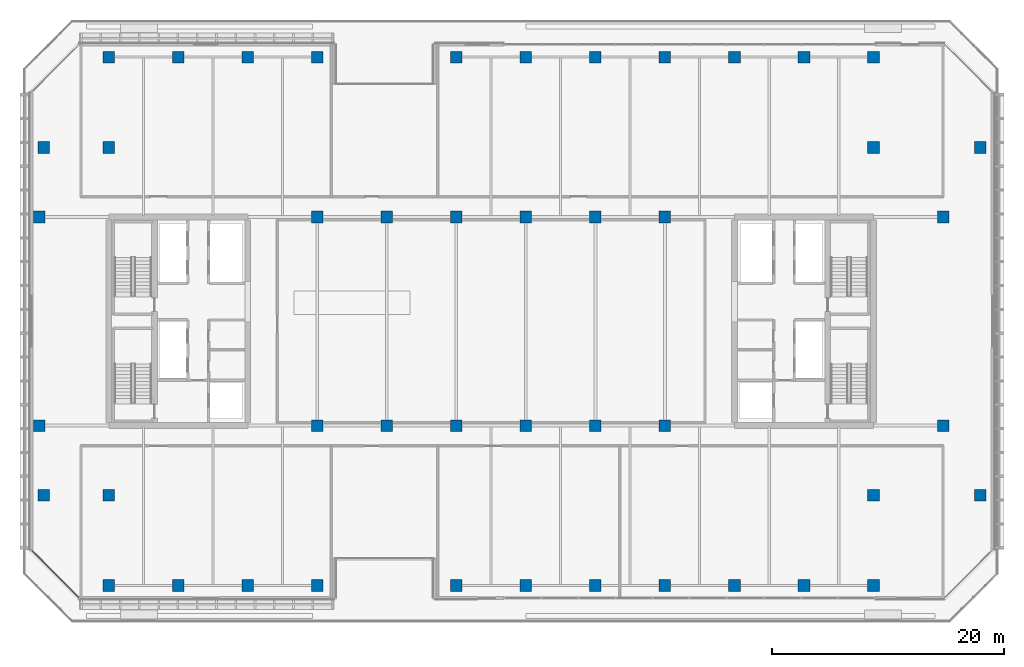
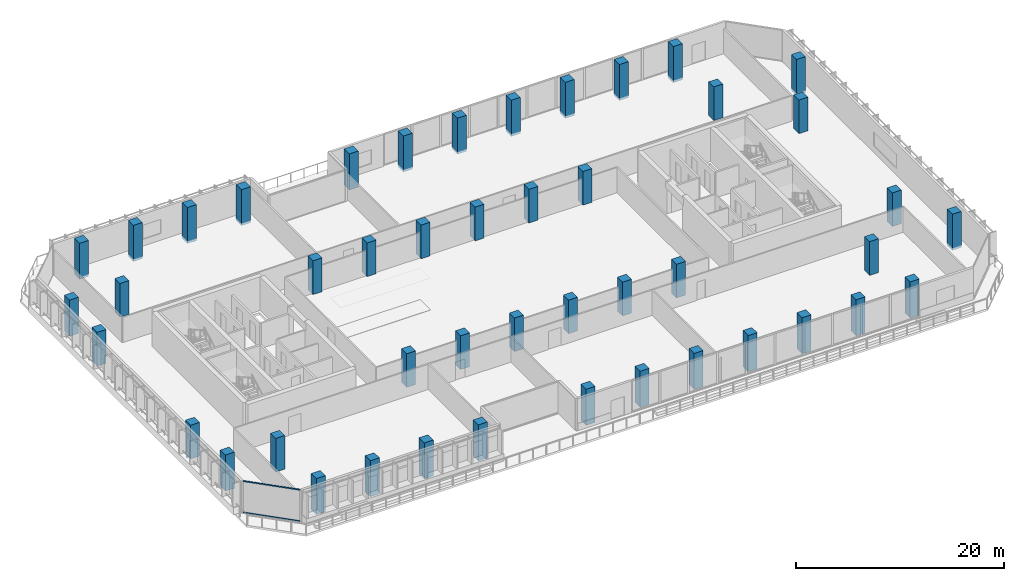
# One storey, part 1 of 38: 46 columns, 2 members, 1 element without a shape of its own.
"""IFC4 building model written with IfcOpenShell, lengths in metres."""

from ifc_helpers import new_model, si_unit, direction, frame, origin, origin_2d, place, context, subcontext, project, spatial, rectangle, hollow_rectangle, extrude, material, layer, layer_set, material_profile, profile_set, type_object, element, aggregate, save


model = new_model("IFC4")

# Units and contexts
model_context = context("Model", 3, precision=1e-05, world=origin(), true_north=direction((0.0, 1.0)))
body_context = subcontext(model_context, "Body", "Model", "MODEL_VIEW")
ifc_project = project(units=[si_unit("LENGTHUNIT", "METRE"), si_unit("AREAUNIT", "SQUARE_METRE"), si_unit("VOLUMEUNIT", "CUBIC_METRE"), si_unit("PLANEANGLEUNIT", "RADIAN"), si_unit("MASSUNIT", "GRAM", prefix="KILO")], contexts=[model_context])

# Site, building, storey
site_placement = place(None, origin())
site = spatial("IfcSite", under=ifc_project, at=site_placement, CompositionType="ELEMENT")
building_placement = place(site_placement, origin())
building = spatial("IfcBuilding", under=site, at=building_placement, Name="Tanjung Sevakor Pilgrim Tower", CompositionType="ELEMENT")
storey_placement = place(building_placement, frame((0.0, 0.0, 78.2099609375)))
storey = spatial("IfcBuildingStorey", under=building, at=storey_placement, Name="L21", CompositionType="ELEMENT", Elevation=78.2099609375)

# Columns
ifc_material_1 = material(Name="Concrete C60/75", Category="concrete")
ifc_material_profile_1 = material_profile(ifc_material_1, rectangle(XDim=1.0, YDim=1.0, at=origin_2d()))
ifc_profile_set_1 = profile_set([ifc_material_profile_1], Name="Concrete C60/75")
column_type = type_object("IfcColumnType", Name="COL-C-T1000-RC_1000x1000", PredefinedType="COLUMN", material=ifc_profile_set_1)
for number, where, z_axis, x_axis, name in (
    (1, (18.0, 24.60009765625, 0.0), (0.0, 0.0, 1.0), (1.0, 0.0, 0.0), "L21 Column SPW-018-246"),
    (2, (18.0, 42.60009765625, 0.0), (0.0, 0.0, 1.0), (1.0, 0.0, 0.0), "L21 Column SPW-018-426"),
    (3, (42.0, 24.60009765625, 0.0), (0.0, 0.0, 1.0), (1.0, 0.0, 0.0), "L21 Column SPW-042-246"),
    (4, (42.0, 42.60009765625, 0.0), (0.0, 0.0, 1.0), (1.0, 0.0, 0.0), "L21 Column SPW-042-426"),
    (5, (48.0, 24.60009765625, 0.0), (0.0, 0.0, 1.0), (1.0, 0.0, 0.0), "L21 Column SPW-048-246"),
    (6, (48.0, 42.60009765625, 0.0), (0.0, 0.0, 1.0), (1.0, 0.0, 0.0), "L21 Column SPW-048-426"),
    (7, (54.0, 24.60009765625, 0.0), (0.0, 0.0, 1.0), (1.0, 0.0, 0.0), "L21 Column SPE-054-246"),
    (8, (54.0, 42.60009765625, 0.0), (0.0, 0.0, 1.0), (1.0, 0.0, 0.0), "L21 Column SPE-054-426"),
    (9, (60.0, 24.60009765625, 0.0), (0.0, 0.0, 1.0), (1.0, 0.0, 0.0), "L21 Column SPE-060-246"),
    (10, (60.0, 42.60009765625, 0.0), (0.0, 0.0, 1.0), (1.0, 0.0, 0.0), "L21 Column SPE-060-426"),
    (11, (66.0, 24.60009765625, 0.0), (0.0, 0.0, 1.0), (1.0, 0.0, 0.0), "L21 Column SPE-066-246"),
    (12, (66.0, 42.60009765625, 0.0), (0.0, 0.0, 1.0), (1.0, 0.0, 0.0), "L21 Column SPE-066-426"),
    (13, (72.0, 24.60009765625, 0.0), (0.0, 0.0, 1.0), (1.0, 0.0, 0.0), "L21 Column SPE-072-246"),
    (14, (72.0, 42.60009765625, 0.0), (0.0, 0.0, 1.0), (1.0, 0.0, 0.0), "L21 Column SPE-072-426"),
    (15, (96.0, 24.60009765625, 0.0), (0.0, 0.0, 1.0), (1.0, 0.0, 0.0), "L21 Column SPE-096-246"),
    (16, (96.0, 42.60009765625, 0.0), (0.0, 0.0, 1.0), (1.0, 0.0, 0.0), "L21 Column SPE-096-426"),
):
    element("IfcColumn", number, at=place(storey_placement, frame(where, z_axis=z_axis, x_axis=x_axis)), inside=storey, type_object=column_type, Name=name, PredefinedType="COLUMN", context=body_context, shape_type="SweptSolid", body=[
        extrude(rectangle(XDim=1.0, YDim=1.0, at=origin_2d()), origin(), (0.0, 0.0, 1.0), 3.9599609375),
    ])
for number, where, z_axis, x_axis, name in (
    (17, (18.39990234375, 18.60009765625, -0.280029296875), (0.0, 0.0, 1.0), (1.0, 0.0, 0.0), "L21 Column TCE-0184-186"),
    (18, (18.39990234375, 48.60009765625, -0.280029296875), (0.0, 0.0, 1.0), (1.0, 0.0, 0.0), "L21 Column TCE-0184-486"),
):
    element("IfcColumn", number, at=place(storey_placement, frame(where, z_axis=z_axis, x_axis=x_axis)), inside=storey, type_object=column_type, Name=name, PredefinedType="COLUMN", context=body_context, shape_type="SweptSolid", body=[
        extrude(rectangle(XDim=1.0, YDim=1.0, at=origin_2d()), origin(), (0.0, 0.0, 1.0), 4.239990234375),
    ])
for number, where, z_axis, x_axis, name in (
    (19, (24.0, 18.60009765625, 0.0), (0.0, 0.0, 1.0), (1.0, 0.0, 0.0), "L21 Column TCE-0240-186"),
    (20, (24.0, 48.60009765625, 0.0), (0.0, 0.0, 1.0), (1.0, 0.0, 0.0), "L21 Column TCE-0240-486"),
    (21, (90.0, 18.60009765625, 0.0), (0.0, 0.0, 1.0), (1.0, 0.0, 0.0), "L21 Column TCE-0900-186"),
    (22, (90.0, 48.60009765625, 0.0), (0.0, 0.0, 1.0), (1.0, 0.0, 0.0), "L21 Column TCE-0900-486"),
):
    element("IfcColumn", number, at=place(storey_placement, frame(where, z_axis=z_axis, x_axis=x_axis)), inside=storey, type_object=column_type, Name=name, PredefinedType="COLUMN", context=body_context, shape_type="SweptSolid", body=[
        extrude(rectangle(XDim=1.0, YDim=1.0, at=origin_2d()), origin(), (0.0, 0.0, 1.0), 3.9599609375),
    ])
for number, where, z_axis, x_axis, name in (
    (23, (99.199951171875, 18.60009765625, -0.280029296875), (0.0, 0.0, 1.0), (1.0, 0.0, 0.0), "L21 Column TCE-0992-186"),
    (24, (99.199951171875, 48.60009765625, -0.280029296875), (0.0, 0.0, 1.0), (1.0, 0.0, 0.0), "L21 Column TCE-0992-486"),
    (25, (24.0, 10.800048828125, -0.280029296875), (0.0, 0.0, 1.0), (1.0, 0.0, 0.0), "L21 Column TC2-024-108"),
    (26, (24.0, 56.39990234375, -0.280029296875), (0.0, 0.0, 1.0), (1.0, 0.0, 0.0), "L21 Column TC2-024-564"),
    (27, (30.0, 10.800048828125, -0.280029296875), (0.0, 0.0, 1.0), (1.0, 0.0, 0.0), "L21 Column TC2-030-108"),
    (28, (30.0, 56.39990234375, -0.280029296875), (0.0, 0.0, 1.0), (1.0, 0.0, 0.0), "L21 Column TC2-030-564"),
    (29, (36.0, 10.800048828125, -0.280029296875), (0.0, 0.0, 1.0), (1.0, 0.0, 0.0), "L21 Column TC2-036-108"),
    (30, (36.0, 56.39990234375, -0.280029296875), (0.0, 0.0, 1.0), (1.0, 0.0, 0.0), "L21 Column TC2-036-564"),
    (31, (42.0, 10.800048828125, -0.280029296875), (0.0, 0.0, 1.0), (1.0, 0.0, 0.0), "L21 Column TC2-042-108"),
    (32, (42.0, 56.39990234375, -0.280029296875), (0.0, 0.0, 1.0), (1.0, 0.0, 0.0), "L21 Column TC2-042-564"),
    (33, (54.0, 10.800048828125, -0.280029296875), (0.0, 0.0, 1.0), (1.0, 0.0, 0.0), "L21 Column TC2-054-108"),
    (34, (54.0, 56.39990234375, -0.280029296875), (0.0, 0.0, 1.0), (1.0, 0.0, 0.0), "L21 Column TC2-054-564"),
    (35, (60.0, 10.800048828125, -0.280029296875), (0.0, 0.0, 1.0), (1.0, 0.0, 0.0), "L21 Column TC2-060-108"),
    (36, (60.0, 56.39990234375, -0.280029296875), (0.0, 0.0, 1.0), (1.0, 0.0, 0.0), "L21 Column TC2-060-564"),
    (37, (66.0, 10.800048828125, -0.280029296875), (0.0, 0.0, 1.0), (1.0, 0.0, 0.0), "L21 Column TC2-066-108"),
    (38, (66.0, 56.39990234375, -0.280029296875), (0.0, 0.0, 1.0), (1.0, 0.0, 0.0), "L21 Column TC2-066-564"),
    (39, (72.0, 10.800048828125, -0.280029296875), (0.0, 0.0, 1.0), (1.0, 0.0, 0.0), "L21 Column TC2-072-108"),
    (40, (72.0, 56.39990234375, -0.280029296875), (0.0, 0.0, 1.0), (1.0, 0.0, 0.0), "L21 Column TC2-072-564"),
    (41, (78.0, 10.800048828125, -0.280029296875), (0.0, 0.0, 1.0), (1.0, 0.0, 0.0), "L21 Column TC2-078-108"),
    (42, (78.0, 56.39990234375, -0.280029296875), (0.0, 0.0, 1.0), (1.0, 0.0, 0.0), "L21 Column TC2-078-564"),
    (43, (84.0, 10.800048828125, -0.280029296875), (0.0, 0.0, 1.0), (1.0, 0.0, 0.0), "L21 Column TC2-084-108"),
    (44, (84.0, 56.39990234375, -0.280029296875), (0.0, 0.0, 1.0), (1.0, 0.0, 0.0), "L21 Column TC2-084-564"),
    (45, (90.0, 10.800048828125, -0.280029296875), (0.0, 0.0, 1.0), (1.0, 0.0, 0.0), "L21 Column TC2-090-108"),
    (46, (90.0, 56.39990234375, -0.280029296875), (0.0, 0.0, 1.0), (1.0, 0.0, 0.0), "L21 Column TC2-090-564"),
):
    element("IfcColumn", number, at=place(storey_placement, frame(where, z_axis=z_axis, x_axis=x_axis)), inside=storey, type_object=column_type, Name=name, PredefinedType="COLUMN", context=body_context, shape_type="SweptSolid", body=[
        extrude(rectangle(XDim=1.0, YDim=1.0, at=origin_2d()), origin(), (0.0, 0.0, 1.0), 4.239990234375),
    ])

# Curtain wall, members
ifc_material_2 = material(Name="Aluminium 6063-T6 and Low-E Glass", Category="aluminium")
ifc_layer = layer(ifc_material_2, 0.179931640625)
ifc_layer_set = layer_set([ifc_layer], Name="CW-SYS-CHAM")
curtain_wall_type = type_object("IfcCurtainWallType", Name="CW-SYS-CHAM", PredefinedType="NOTDEFINED", material=ifc_layer_set)
curtain_wall_placement = place(storey_placement, origin())
curtain_wall = element("IfcCurtainWall", 47, at=curtain_wall_placement, inside=storey, type_object=curtain_wall_type, Name="L21 Curtain Wall CW-CHM-L21-MAIN-15", PredefinedType="NOTDEFINED")
ifc_material_3 = material(Name="Aluminium 6063-T6", Category="aluminium")
ifc_material_profile_2 = material_profile(ifc_material_3, hollow_rectangle(XDim=0.06494140625, YDim=0.139892578125, WallThickness=0.00390625, at=origin_2d()))
ifc_profile_set_2 = profile_set([ifc_material_profile_2], Name="Aluminium 6063-T6")
member_type = type_object("IfcMemberType", Name="TYPE-CWT-1", PredefinedType="USERDEFINED", material=ifc_profile_set_2)
member_1_placement = place(storey_placement, frame((17.370849609375, 13.805908203125, 0.032470703125), z_axis=(0.707106781187, -0.707106781187, 0.0), x_axis=(0.707106781187, 0.707106781187, 0.0)))
member_1 = element("IfcMember", 48, at=member_1_placement, type_object=member_type, Name="CW-CHM transom 1.1", ObjectType="TRANSOM", PredefinedType="USERDEFINED", context=body_context, shape_type="SweptSolid", body=[
    extrude(hollow_rectangle(XDim=0.06494140625, YDim=0.139892578125, WallThickness=0.00390625, at=origin_2d()), origin(), (0.0, 0.0, 1.0), 5.706298828125),
])
member_2_placement = place(storey_placement, frame((17.370849609375, 13.805908203125, 3.70751953125), z_axis=(0.707106781187, -0.707106781187, 0.0), x_axis=(0.707106781187, 0.707106781187, 0.0)))
member_2 = element("IfcMember", 49, at=member_2_placement, type_object=member_type, Name="CW-CHM transom 1.2", ObjectType="TRANSOM", PredefinedType="USERDEFINED", context=body_context, shape_type="SweptSolid", body=[
    extrude(hollow_rectangle(XDim=0.06494140625, YDim=0.139892578125, WallThickness=0.00390625, at=origin_2d()), origin(), (0.0, 0.0, 1.0), 5.706298828125),
])
aggregate(curtain_wall, [member_1, member_2])

save(model, "model.ifc")
